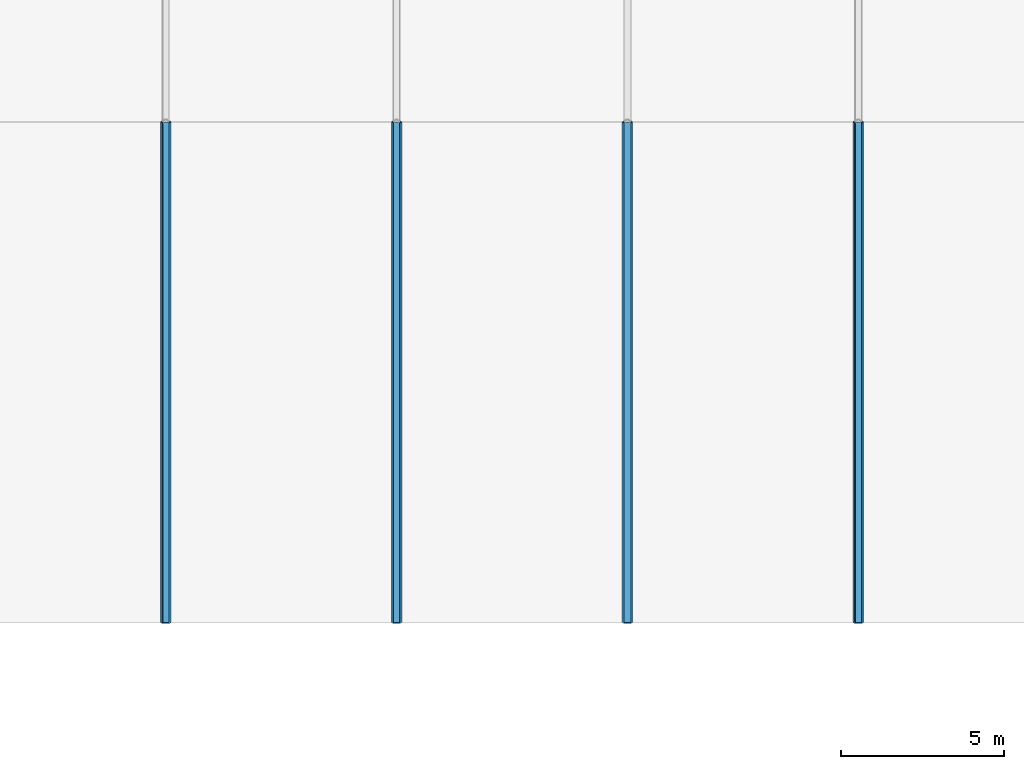
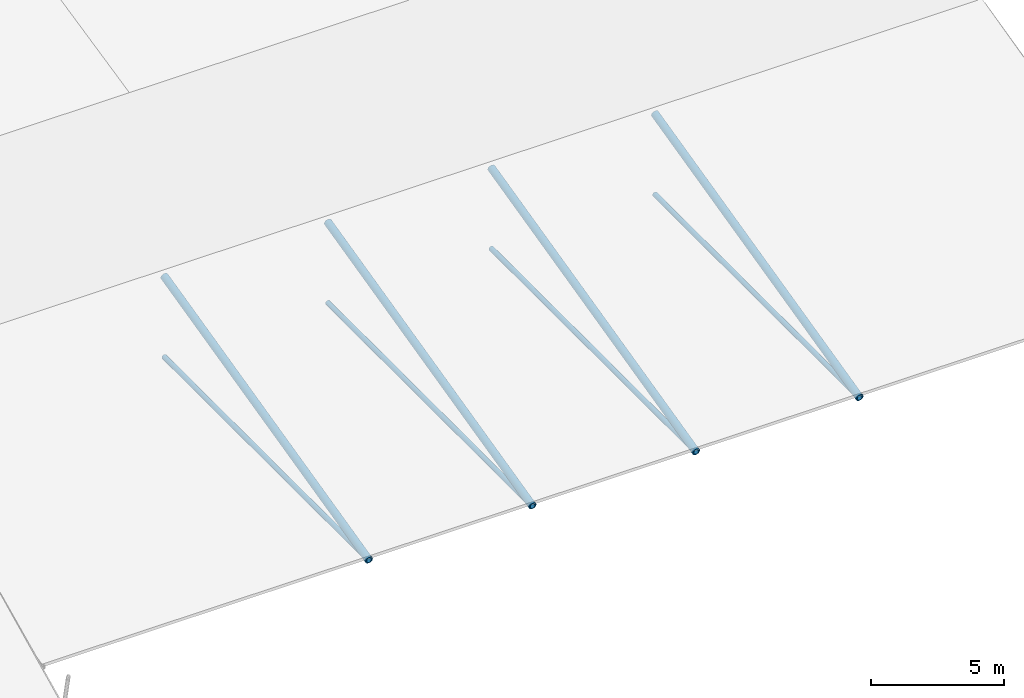
# One storey, part 64 of 194: 8 members.
"""IFC4 building model written with IfcOpenShell, lengths in metres."""

from ifc_helpers import new_model, si_unit, direction, frame, origin, origin_2d, place, context, subcontext, project, spatial, hollow_circle, extrude, material, material_profile, profile_set, type_object, element, save


model = new_model("IFC4")

# Units and contexts
model_context = context("Model", 3, precision=1e-05, world=origin(), true_north=direction((0.0, 1.0)))
body_context = subcontext(model_context, "Body", "Model", "MODEL_VIEW")
ifc_project = project(units=[si_unit("LENGTHUNIT", "METRE"), si_unit("AREAUNIT", "SQUARE_METRE"), si_unit("VOLUMEUNIT", "CUBIC_METRE"), si_unit("PLANEANGLEUNIT", "RADIAN"), si_unit("MASSUNIT", "GRAM", prefix="KILO")], contexts=[model_context])

# Site, building, storey
site_placement = place(None, origin())
site = spatial("IfcSite", under=ifc_project, at=site_placement, CompositionType="ELEMENT")
building_placement = place(site_placement, origin())
building = spatial("IfcBuilding", under=site, at=building_placement, Name="Kazenagashi Tramway Depot", CompositionType="ELEMENT")
storey_placement = place(building_placement, frame((0.0, 0.0, 23.7)))
storey = spatial("IfcBuildingStorey", under=building, at=storey_placement, Name="ROOF", CompositionType="ELEMENT", Elevation=23.7)

# Members
ifc_material = material(Name="Steel STK490", Category="steel")
ifc_material_profile_1 = material_profile(ifc_material, hollow_circle(Radius=0.10815, WallThickness=0.0082, at=origin_2d()), Name="CHS-216.3x8.2")
ifc_profile_set_1 = profile_set([ifc_material_profile_1], Name="Steel STK490")
member_type_1 = type_object("IfcMemberType", Name="TC-02", PredefinedType="CHORD", material=ifc_profile_set_1)
for number, where, z_axis, x_axis, name in (
    (1, (160.5, 38.5, -8.6), (0.0, 1.0, 0.0), (-1.0, 0.0, 0.0), "Roof Truss TC-02 MEM-1529"),
    (2, (167.6, 38.5, -8.6), (0.0, 1.0, 0.0), (-1.0, 0.0, 0.0), "Roof Truss TC-02 MEM-1534"),
    (3, (174.7, 38.5, -8.6), (0.0, 1.0, 0.0), (-1.0, 0.0, 0.0), "Roof Truss TC-02 MEM-1539"),
    (4, (181.8, 38.5, -8.6), (0.0, 1.0, 0.0), (-1.0, 0.0, 0.0), "Roof Truss TC-02 MEM-1544"),
):
    element("IfcMember", number, at=place(storey_placement, frame(where, z_axis=z_axis, x_axis=x_axis)), inside=storey, type_object=member_type_1, Name=name, PredefinedType="CHORD", context=body_context, shape_type="SweptSolid", body=[
        extrude(hollow_circle(Radius=0.10815, WallThickness=0.0082, at=origin_2d()), origin(), (0.0, 0.0, 1.0), 15.4),
    ])
ifc_material_profile_2 = material_profile(ifc_material, hollow_circle(Radius=0.15925, WallThickness=0.0103, at=origin_2d()), Name="CHS-318.5x10.3")
ifc_profile_set_2 = profile_set([ifc_material_profile_2], Name="Steel STK490")
member_type_2 = type_object("IfcMemberType", Name="TC-05", PredefinedType="CHORD", material=ifc_profile_set_2)
for number, where, z_axis, x_axis, name in (
    (5, (160.5, 38.5, -8.6), (0.0, 0.972329961031, 0.233611743884), (-1.0, 0.0, 0.0), "Roof Truss TC-05 MEM-1527"),
    (6, (167.6, 38.5, -8.6), (0.0, 0.972329961031, 0.233611743884), (-1.0, 0.0, 0.0), "Roof Truss TC-05 MEM-1532"),
    (7, (174.7, 38.5, -8.6), (0.0, 0.972329961031, 0.233611743884), (-1.0, 0.0, 0.0), "Roof Truss TC-05 MEM-1537"),
    (8, (181.8, 38.5, -8.6), (0.0, 0.972329961031, 0.233611743884), (-1.0, 0.0, 0.0), "Roof Truss TC-05 MEM-1542"),
):
    element("IfcMember", number, at=place(storey_placement, frame(where, z_axis=z_axis, x_axis=x_axis)), inside=storey, type_object=member_type_2, Name=name, PredefinedType="CHORD", context=body_context, shape_type="SweptSolid", body=[
        extrude(hollow_circle(Radius=0.15925, WallThickness=0.0103, at=origin_2d()), origin(), (0.0, 0.0, 1.0), 15.838245),
    ])

save(model, "model.ifc")
